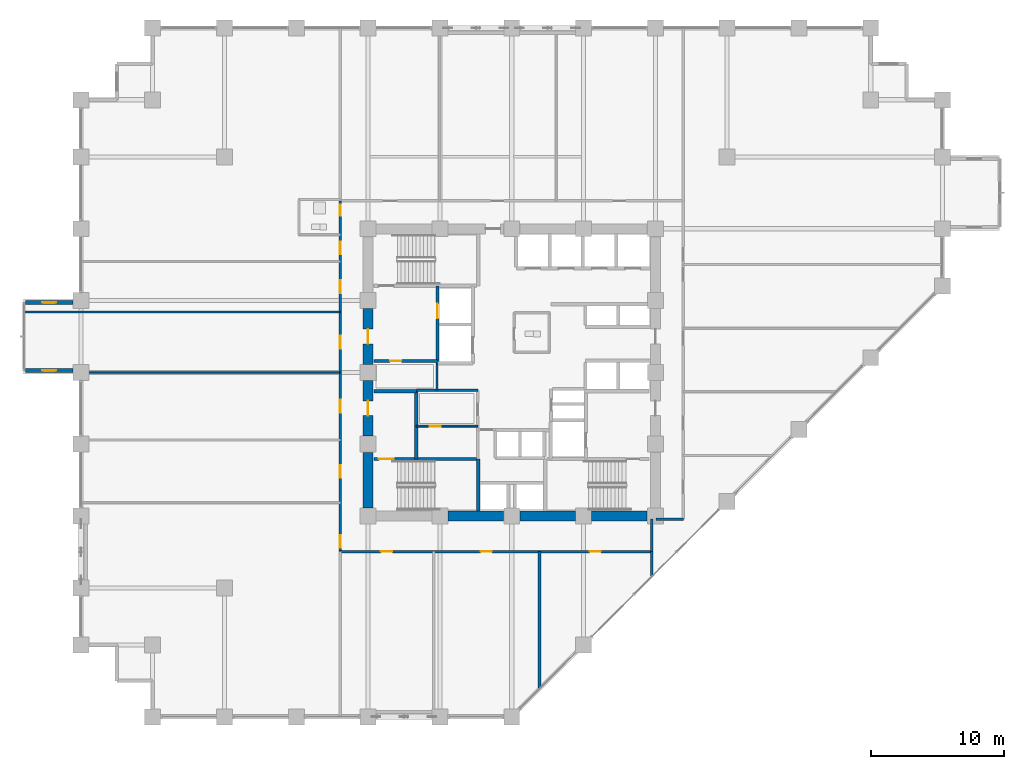
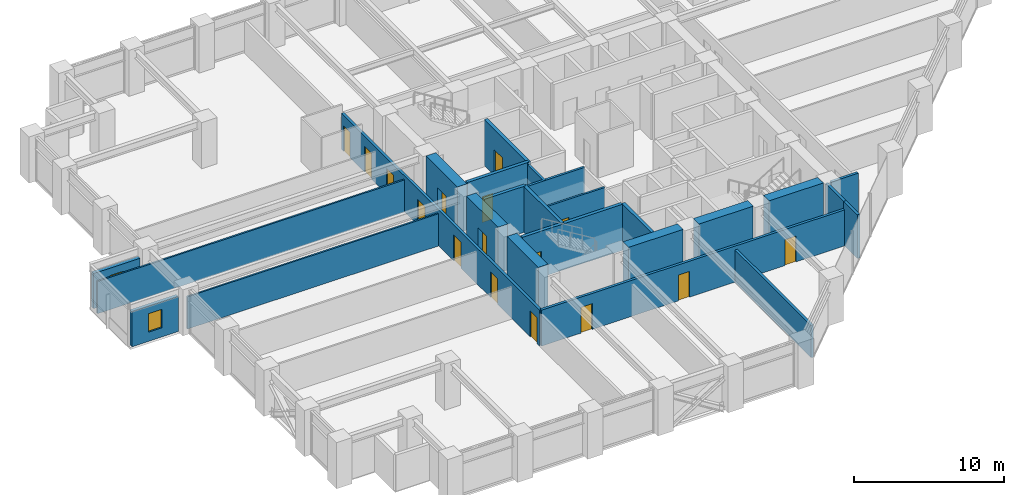
# One storey, part 21 of 28: 25 walls, 16 doors, 2 windows, 18 openings.
"""IFC4 building model written with IfcOpenShell, lengths in metres."""

from ifc_helpers import new_model, si_unit, direction, frame, frame_2d, origin, place, context, subcontext, project, spatial, rectangle, extrude, material, layer, layer_set, type_object, element, fill, save


model = new_model("IFC4")

# Units and contexts
model_context = context("Model", 3, precision=1e-05, world=origin(), true_north=direction((0.0, 1.0)))
body_context = subcontext(model_context, "Body", "Model", "MODEL_VIEW")
ifc_project = project(units=[si_unit("LENGTHUNIT", "METRE"), si_unit("AREAUNIT", "SQUARE_METRE"), si_unit("VOLUMEUNIT", "CUBIC_METRE"), si_unit("PLANEANGLEUNIT", "RADIAN"), si_unit("MASSUNIT", "GRAM", prefix="KILO")], contexts=[model_context])

# Site, building, storey
site_placement = place(None, origin())
site = spatial("IfcSite", under=ifc_project, at=site_placement, CompositionType="ELEMENT")
building_placement = place(site_placement, origin())
building = spatial("IfcBuilding", under=site, at=building_placement, Name="Surkhivell Harbour Commons", CompositionType="ELEMENT")
storey_placement = place(building_placement, frame((0.0, 0.0, 67.5)))
storey = spatial("IfcBuildingStorey", under=building, at=storey_placement, Name="L17", CompositionType="ELEMENT", Elevation=67.5)

# Walls
ifc_material_1 = material(Name="Concrete C60/75", Category="concrete")
ifc_layer_1 = layer(ifc_material_1, 0.75)
ifc_layer_set_1 = layer_set([ifc_layer_1], Name="Concrete C60/75")
wall_type_1 = type_object("IfcWallType", Name="WAL-CORE-750", PredefinedType="SHEAR", material=ifc_layer_set_1)
for number, where, z_axis, x_axis, name in (
    (1, (-10.800048828125, -10.18994140625, 0.0), (0.0, 0.0, 1.0), (0.0, 1.0, 0.0), "L17 Core Shear Wall West 1"),
    (2, (-4.7900390625, -10.800048828125, 0.0), (0.0, 0.0, 1.0), (1.0, 0.0, 0.0), "L17 Core Shear Wall South 2"),
):
    element("IfcWall", number, at=place(storey_placement, frame(where, z_axis=z_axis, x_axis=x_axis)), inside=storey, type_object=wall_type_1, Name=name, PredefinedType="SHEAR", context=body_context, shape_type="SweptSolid", body=[
        extrude(rectangle(XDim=4.179931640625, YDim=0.75, at=frame_2d((2.08984375, 0.0))), origin(), (0.0, 0.0, 1.0), 3.75),
    ])

# Wall, opening, door
wall_1_placement = place(storey_placement, frame((-10.800048828125, -4.7900390625, 0.0), z_axis=(0.0, 0.0, 1.0), x_axis=(0.0, 1.0, 0.0)))
wall_1 = element("IfcWall", 3, at=wall_1_placement, inside=storey, type_object=wall_type_1, Name="L17 Core Shear Wall West 2", PredefinedType="SHEAR", context=body_context, shape_type="SweptSolid", body=[
    extrude(rectangle(XDim=4.179931640625, YDim=0.75, at=frame_2d((2.08984375, 0.0))), origin(), (0.0, 0.0, 1.0), 3.75),
])
opening_1_placement = place(wall_1_placement, frame((1.5400390625, 0.0, 0.0)))
opening_1 = element("IfcOpeningElement", 4, at=opening_1_placement, cuts=wall_1, Name="Opening ID-2", PredefinedType="OPENING", context=body_context, shape_type="SweptSolid", body=[
    extrude(rectangle(XDim=1.10009765625, YDim=2.10009765625, at=frame_2d((0.550048828125, 1.050048828125))), frame((0.0, 0.385009765625, 0.0), z_axis=(0.0, -1.0, 0.0), x_axis=(1.0, 0.0, 0.0)), (0.0, 0.0, 1.0), 0.77001953125),
])
ifc_material_2 = material(Name="Hardwood-veneered fire-rated door leaf", Category="wood")
door_type_1 = type_object("IfcDoorType", Name="DOR-FD60-1100", OperationType="NOTDEFINED", PredefinedType="DOOR", material=ifc_material_2)
door_1_placement = place(opening_1_placement, origin())
door_1 = element("IfcDoor", 5, at=door_1_placement, inside=storey, type_object=door_type_1, Name="L17 Stair 3 Lobby Corridor Door", OperationType="SINGLE_SWING_LEFT", OverallHeight=2.10009765625, OverallWidth=1.10009765625, PredefinedType="DOOR", context=body_context, shape_type="SweptSolid", body=[
    extrude(rectangle(XDim=1.10009765625, YDim=2.10009765625, at=frame_2d((0.550048828125, 1.050048828125))), frame((0.0, 0.02490234375, 0.0), z_axis=(0.0, -1.0, 0.0), x_axis=(1.0, 0.0, 0.0)), (0.0, 0.0, 1.0), 0.050048828125),
])
fill(opening_1, door_1)

# Wall
wall_2_placement = place(storey_placement, frame((0.610107421875, -10.800048828125, 0.0), z_axis=(0.0, 0.0, 1.0), x_axis=(1.0, 0.0, 0.0)))
element("IfcWall", 6, at=wall_2_placement, inside=storey, type_object=wall_type_1, Name="L17 Core Shear Wall South 3", PredefinedType="SHEAR", context=body_context, shape_type="SweptSolid", body=[
    extrude(rectangle(XDim=4.179931640625, YDim=0.75, at=frame_2d((2.08984375, 0.0))), origin(), (0.0, 0.0, 1.0), 3.75),
])

# Wall, opening, door
wall_3_placement = place(storey_placement, frame((-10.800048828125, 0.610107421875, 0.0), z_axis=(0.0, 0.0, 1.0), x_axis=(0.0, 1.0, 0.0)))
wall_3 = element("IfcWall", 7, at=wall_3_placement, inside=storey, type_object=wall_type_1, Name="L17 Core Shear Wall West 3", PredefinedType="SHEAR", context=body_context, shape_type="SweptSolid", body=[
    extrude(rectangle(XDim=4.179931640625, YDim=0.75, at=frame_2d((2.08984375, 0.0))), origin(), (0.0, 0.0, 1.0), 3.75),
])
opening_2_placement = place(wall_3_placement, frame((1.5400390625, 0.0, 0.0)))
opening_2 = element("IfcOpeningElement", 8, at=opening_2_placement, cuts=wall_3, Name="Opening ID-1", PredefinedType="OPENING", context=body_context, shape_type="SweptSolid", body=[
    extrude(rectangle(XDim=1.10009765625, YDim=2.10009765625, at=frame_2d((0.550048828125, 1.050048828125))), frame((0.0, 0.385009765625, 0.0), z_axis=(0.0, -1.0, 0.0), x_axis=(1.0, 0.0, 0.0)), (0.0, 0.0, 1.0), 0.77001953125),
])
door_type_2 = type_object("IfcDoorType", Name="DOR-FD120-1100", OperationType="NOTDEFINED", PredefinedType="DOOR", material=ifc_material_2)
door_2_placement = place(opening_2_placement, origin())
door_2 = element("IfcDoor", 9, at=door_2_placement, inside=storey, type_object=door_type_2, Name="L17 Firefighting Lobby 1 Corridor Door", OperationType="SINGLE_SWING_LEFT", OverallHeight=2.10009765625, OverallWidth=1.10009765625, PredefinedType="DOOR", context=body_context, shape_type="SweptSolid", body=[
    extrude(rectangle(XDim=1.10009765625, YDim=2.10009765625, at=frame_2d((0.550048828125, 1.050048828125))), frame((0.0, 0.02490234375, 0.0), z_axis=(0.0, -1.0, 0.0), x_axis=(1.0, 0.0, 0.0)), (0.0, 0.0, 1.0), 0.050048828125),
])
fill(opening_2, door_2)

# Wall
wall_4_placement = place(storey_placement, frame((6.010009765625, -10.800048828125, 0.0), z_axis=(0.0, 0.0, 1.0), x_axis=(1.0, 0.0, 0.0)))
element("IfcWall", 10, at=wall_4_placement, inside=storey, type_object=wall_type_1, Name="L17 Core Shear Wall South 4", PredefinedType="SHEAR", context=body_context, shape_type="SweptSolid", body=[
    extrude(rectangle(XDim=4.179931640625, YDim=0.75, at=frame_2d((2.08984375, 0.0))), origin(), (0.0, 0.0, 1.0), 3.75),
])

# Wall, opening, window
ifc_material_3 = material(Name="Terracotta-clad reinforced concrete C45/55", Category="masonry")
ifc_layer_2 = layer(ifc_material_3, 0.280029296875)
ifc_layer_set_2 = layer_set([ifc_layer_2], Name="Terracotta-clad reinforced concrete C45/55")
wall_type_2 = type_object("IfcWallType", Name="WAL-EXT-TER280", PredefinedType="STANDARD", material=ifc_layer_set_2)
wall_5_placement = place(storey_placement, frame((-36.56005859375, 0.139892578125, 0.0), z_axis=(0.0, 0.0, 1.0), x_axis=(1.0, 0.0, 0.0)))
wall_5 = element("IfcWall", 11, at=wall_5_placement, inside=storey, type_object=wall_type_2, Name="L17 Coloured Box Return Wall 02S", PredefinedType="STANDARD", context=body_context, shape_type="SweptSolid", body=[
    extrude(rectangle(XDim=3.55615234375, YDim=0.280029296875, at=frame_2d((1.778076171875, 0.0))), origin(), (0.0, 0.0, 1.0), 2.85693359375),
])
opening_3_placement = place(wall_5_placement, frame((1.2529296875, 0.0, 0.75)))
opening_3 = element("IfcOpeningElement", 12, at=opening_3_placement, cuts=wall_5, Name="Opening WN-11", PredefinedType="OPENING", context=body_context, shape_type="SweptSolid", body=[
    extrude(rectangle(XDim=1.050048828125, YDim=1.5, at=frame_2d((0.52490234375, 0.75))), frame((0.0, 0.14990234375, 0.0), z_axis=(0.0, -1.0, 0.0), x_axis=(1.0, 0.0, 0.0)), (0.0, 0.0, 1.0), 0.300048828125),
])
ifc_material_4 = material(Name="Thermal-break aluminium frame and double low-E glazing", Category="aluminium")
window_type = type_object("IfcWindowType", Name="WIN-SER-1050x1500", PartitioningType="SINGLE_PANEL", PredefinedType="WINDOW", material=ifc_material_4)
window_1_placement = place(opening_3_placement, origin())
window_1 = element("IfcWindow", 13, at=window_1_placement, inside=storey, type_object=window_type, Name="L17 Coloured Box Return Window 02S", OverallHeight=1.5, OverallWidth=1.050048828125, PartitioningType="SINGLE_PANEL", PredefinedType="WINDOW", context=body_context, shape_type="SweptSolid", body=[
    extrude(rectangle(XDim=1.050048828125, YDim=1.5, at=frame_2d((0.52490234375, 0.75))), frame((0.0, 0.030029296875, 0.0), z_axis=(0.0, -1.0, 0.0), x_axis=(1.0, 0.0, 0.0)), (0.0, 0.0, 1.0), 0.06005859375),
])
fill(opening_3, window_1)

wall_6_placement = place(storey_placement, frame((-36.56005859375, 5.260009765625, 0.0), z_axis=(0.0, 0.0, 1.0), x_axis=(1.0, 0.0, 0.0)))
wall_6 = element("IfcWall", 14, at=wall_6_placement, inside=storey, type_object=wall_type_2, Name="L17 Coloured Box Return Wall 02N", PredefinedType="STANDARD", context=body_context, shape_type="SweptSolid", body=[
    extrude(rectangle(XDim=3.55615234375, YDim=0.280029296875, at=frame_2d((1.778076171875, 0.0))), origin(), (0.0, 0.0, 1.0), 2.85693359375),
])
opening_4_placement = place(wall_6_placement, frame((1.2529296875, 0.0, 0.75)))
opening_4 = element("IfcOpeningElement", 15, at=opening_4_placement, cuts=wall_6, Name="Opening WN-11", PredefinedType="OPENING", context=body_context, shape_type="SweptSolid", body=[
    extrude(rectangle(XDim=1.050048828125, YDim=1.5, at=frame_2d((0.52490234375, 0.75))), frame((0.0, 0.14990234375, 0.0), z_axis=(0.0, -1.0, 0.0), x_axis=(1.0, 0.0, 0.0)), (0.0, 0.0, 1.0), 0.300048828125),
])
window_2_placement = place(opening_4_placement, origin())
window_2 = element("IfcWindow", 16, at=window_2_placement, inside=storey, type_object=window_type, Name="L17 Coloured Box Return Window 02N", OverallHeight=1.5, OverallWidth=1.050048828125, PartitioningType="SINGLE_PANEL", PredefinedType="WINDOW", context=body_context, shape_type="SweptSolid", body=[
    extrude(rectangle(XDim=1.050048828125, YDim=1.5, at=frame_2d((0.52490234375, 0.75))), frame((0.0, 0.030029296875, 0.0), z_axis=(0.0, -1.0, 0.0), x_axis=(1.0, 0.0, 0.0)), (0.0, 0.0, 1.0), 0.06005859375),
])
fill(opening_4, window_2)

# Walls
ifc_material_5 = material(Name="Moisture-resistant acoustic stud partition", Category="other")
ifc_layer_3 = layer(ifc_material_5, 0.125)
ifc_layer_set_3 = layer_set([ifc_layer_3], Name="Moisture-resistant acoustic stud partition")
wall_type_3 = type_object("IfcWallType", Name="WAL-INT-125", PredefinedType="PARTITIONING", material=ifc_layer_set_3)
wall_7_placement = place(storey_placement, frame((-32.340087890625, 0.0, 0.0), z_axis=(0.0, 0.0, 1.0), x_axis=(1.0, 0.0, 0.0)))
element("IfcWall", 17, at=wall_7_placement, inside=storey, type_object=wall_type_3, Name="L17 West Partition BDP2", PredefinedType="PARTITIONING", context=body_context, shape_type="SweptSolid", body=[
    extrude(rectangle(XDim=19.440185546875, YDim=0.125, at=frame_2d((9.72021484375, 0.0))), origin(), (0.0, 0.0, 1.0), 2.623046875),
])
wall_8_placement = place(storey_placement, frame((-36.639892578125, 4.5400390625, 0.0), z_axis=(0.0, 0.0, 1.0), x_axis=(1.0, 0.0, 0.0)))
element("IfcWall", 18, at=wall_8_placement, inside=storey, type_object=wall_type_3, Name="L17 West Partition BDP3", PredefinedType="PARTITIONING", context=body_context, shape_type="SweptSolid", body=[
    extrude(rectangle(XDim=23.739990234375, YDim=0.125, at=frame_2d((11.8701171875, 0.0))), origin(), (0.0, 0.0, 1.0), 2.623046875),
])

# Wall, opening, door
ifc_material_6 = material(Name="Twin-stud acoustic fireboard partition", Category="other")
ifc_layer_4 = layer(ifc_material_6, 0.14990234375)
ifc_layer_set_4 = layer_set([ifc_layer_4], Name="Twin-stud acoustic fireboard partition")
wall_type_4 = type_object("IfcWallType", Name="WAL-INT-150", PredefinedType="PARTITIONING", material=ifc_layer_set_4)
wall_9_placement = place(storey_placement, frame((-7.179931640625, -4.050048828125, 0.0), z_axis=(0.0, 0.0, 1.0), x_axis=(1.0, 0.0, 0.0)))
wall_9 = element("IfcWall", 19, at=wall_9_placement, inside=storey, type_object=wall_type_4, Name="L17 Core Cut A Partition", PredefinedType="PARTITIONING", context=body_context, shape_type="SweptSolid", body=[
    extrude(rectangle(XDim=4.6298828125, YDim=0.14990234375, at=frame_2d((2.31494140625, 0.0))), origin(), (0.0, 0.0, 1.0), 3.570068359375),
])
opening_5_placement = place(wall_9_placement, frame((1.0, 0.0, 0.0)))
opening_5 = element("IfcOpeningElement", 20, at=opening_5_placement, cuts=wall_9, Name="Opening ID-6", PredefinedType="OPENING", context=body_context, shape_type="SweptSolid", body=[
    extrude(rectangle(XDim=0.85009765625, YDim=2.10009765625, at=frame_2d((0.425048828125, 1.050048828125))), frame((0.0, 0.0849609375, 0.0), z_axis=(0.0, -1.0, 0.0), x_axis=(1.0, 0.0, 0.0)), (0.0, 0.0, 1.0), 0.169921875),
])
door_type_3 = type_object("IfcDoorType", Name="DOR-FD30-850", OperationType="NOTDEFINED", PredefinedType="DOOR", material=ifc_material_2)
door_3_placement = place(opening_5_placement, origin())
door_3 = element("IfcDoor", 21, at=door_3_placement, inside=storey, type_object=door_type_3, Name="L17 Linen Room Door", OperationType="SINGLE_SWING_RIGHT", OverallHeight=2.10009765625, OverallWidth=0.85009765625, PredefinedType="DOOR", context=body_context, shape_type="SweptSolid", body=[
    extrude(rectangle(XDim=0.85009765625, YDim=2.10009765625, at=frame_2d((0.425048828125, 1.050048828125))), frame((0.0, 0.02490234375, 0.0), z_axis=(0.0, -1.0, 0.0), x_axis=(1.0, 0.0, 0.0)), (0.0, 0.0, 1.0), 0.050048828125),
])
fill(opening_5, door_3)

# Walls
ifc_material_7 = material(Name="High-density acoustic blockwork fire partition", Category="masonry")
ifc_layer_5 = layer(ifc_material_7, 0.175048828125)
ifc_layer_set_5 = layer_set([ifc_layer_5], Name="High-density acoustic blockwork fire partition")
wall_type_5 = type_object("IfcWallType", Name="WAL-INT-175", PredefinedType="PARTITIONING", material=ifc_layer_set_5)
wall_10_placement = place(storey_placement, frame((-7.179931640625, -1.35009765625, 0.0), z_axis=(0.0, 0.0, 1.0), x_axis=(1.0, 0.0, 0.0)))
element("IfcWall", 22, at=wall_10_placement, inside=storey, type_object=wall_type_5, Name="L17 Core Service Bay North Wall", PredefinedType="PARTITIONING", context=body_context, shape_type="SweptSolid", body=[
    extrude(rectangle(XDim=4.6298828125, YDim=0.175048828125, at=frame_2d((2.31494140625, 0.0))), origin(), (0.0, 0.0, 1.0), 3.570068359375),
])
wall_11_placement = place(storey_placement, frame((-5.6201171875, -1.419921875, 0.0), z_axis=(0.0, 0.0, 1.0), x_axis=(0.0, 1.0, 0.0)))
element("IfcWall", 23, at=wall_11_placement, inside=storey, type_object=wall_type_5, Name="L17 West Core Bay East Wall", PredefinedType="PARTITIONING", context=body_context, shape_type="SweptSolid", body=[
    extrude(rectangle(XDim=2.139892578125, YDim=0.175048828125, at=frame_2d((1.06982421875, 0.0))), origin(), (0.0, 0.0, 1.0), 3.570068359375),
])
ifc_material_8 = material(Name="Autoclaved aerated concrete blockwork and fire plaster", Category="masonry")
ifc_layer_6 = layer(ifc_material_8, 0.199951171875)
ifc_layer_set_6 = layer_set([ifc_layer_6], Name="Autoclaved aerated concrete blockwork and fire plaster")
wall_type_6 = type_object("IfcWallType", Name="WAL-INT-200", PredefinedType="PARTITIONING", material=ifc_layer_set_6)
wall_12_placement = place(storey_placement, frame((10.52001953125, -15.295166015625, 0.0), z_axis=(0.0, 0.0, 1.0), x_axis=(0.0, 1.0, 0.0)))
element("IfcWall", 24, at=wall_12_placement, inside=storey, type_object=wall_type_6, Name="L17 South-East Wing Corner Divider", PredefinedType="PARTITIONING", context=body_context, shape_type="SweptSolid", body=[
    extrude(rectangle(XDim=1.815185546875, YDim=0.199951171875, at=frame_2d((0.90771484375, 0.0))), origin(), (0.0, 0.0, 1.0), 3.570068359375),
])
wall_13_placement = place(storey_placement, frame((10.85009765625, -11.0400390625, 0.0), z_axis=(0.0, 0.0, 1.0), x_axis=(1.0, 0.0, 0.0)))
element("IfcWall", 25, at=wall_13_placement, inside=storey, type_object=wall_type_6, Name="L17 Corridor East South Closure Wall", PredefinedType="PARTITIONING", context=body_context, shape_type="SweptSolid", body=[
    extrude(rectangle(XDim=2.0498046875, YDim=0.199951171875, at=frame_2d((1.02490234375, 0.0))), origin(), (0.0, 0.0, 1.0), 3.570068359375),
])

# Wall, openings, doors
wall_14_placement = place(storey_placement, frame((-12.89990234375, -13.47998046875, 0.0), z_axis=(0.0, 0.0, 1.0), x_axis=(1.0, 0.0, 0.0)))
wall_14 = element("IfcWall", 26, at=wall_14_placement, inside=storey, type_object=wall_type_6, Name="L17 Corridor South Wall", PredefinedType="PARTITIONING", context=body_context, shape_type="SweptSolid", body=[
    extrude(rectangle(XDim=23.419921875, YDim=0.199951171875, at=frame_2d((11.7099609375, 0.0))), origin(), (0.0, 0.0, 1.0), 2.929931640625),
])
opening_6_placement = place(wall_14_placement, frame((3.06494140625, 0.0, 0.0)))
opening_6 = element("IfcOpeningElement", 27, at=opening_6_placement, cuts=wall_14, Name="Opening ID-6", PredefinedType="OPENING", context=body_context, shape_type="SweptSolid", body=[
    extrude(rectangle(XDim=0.85009765625, YDim=2.10009765625, at=frame_2d((0.425048828125, 1.050048828125))), frame((0.0, 0.10986328125, 0.0), z_axis=(0.0, -1.0, 0.0), x_axis=(1.0, 0.0, 0.0)), (0.0, 0.0, 1.0), 0.219970703125),
])
opening_7_placement = place(wall_14_placement, frame((10.56005859375, 0.0, 0.0)))
opening_7 = element("IfcOpeningElement", 28, at=opening_7_placement, cuts=wall_14, Name="Opening ID-6", PredefinedType="OPENING", context=body_context, shape_type="SweptSolid", body=[
    extrude(rectangle(XDim=0.85009765625, YDim=2.10009765625, at=frame_2d((0.425048828125, 1.050048828125))), frame((0.0, 0.10986328125, 0.0), z_axis=(0.0, -1.0, 0.0), x_axis=(1.0, 0.0, 0.0)), (0.0, 0.0, 1.0), 0.219970703125),
])
opening_8_placement = place(wall_14_placement, frame((18.7548828125, 0.0, 0.0)))
opening_8 = element("IfcOpeningElement", 29, at=opening_8_placement, cuts=wall_14, Name="Opening ID-6", PredefinedType="OPENING", context=body_context, shape_type="SweptSolid", body=[
    extrude(rectangle(XDim=0.85009765625, YDim=2.10009765625, at=frame_2d((0.425048828125, 1.050048828125))), frame((0.0, 0.10986328125, 0.0), z_axis=(0.0, -1.0, 0.0), x_axis=(1.0, 0.0, 0.0)), (0.0, 0.0, 1.0), 0.219970703125),
])
door_4_placement = place(opening_6_placement, origin())
door_4 = element("IfcDoor", 30, at=door_4_placement, inside=storey, type_object=door_type_3, Name="L17 Resident Tutor Staff Room 1 South Door", OperationType="SINGLE_SWING_LEFT", OverallHeight=2.10009765625, OverallWidth=0.85009765625, PredefinedType="DOOR", context=body_context, shape_type="SweptSolid", body=[
    extrude(rectangle(XDim=0.85009765625, YDim=2.10009765625, at=frame_2d((0.425048828125, 1.050048828125))), frame((0.0, 0.02490234375, 0.0), z_axis=(0.0, -1.0, 0.0), x_axis=(1.0, 0.0, 0.0)), (0.0, 0.0, 1.0), 0.050048828125),
])
fill(opening_6, door_4)
door_5_placement = place(opening_7_placement, origin())
door_5 = element("IfcDoor", 31, at=door_5_placement, inside=storey, type_object=door_type_3, Name="L17 Resident Warden Staff Office 2 South Door", OperationType="SINGLE_SWING_RIGHT", OverallHeight=2.10009765625, OverallWidth=0.85009765625, PredefinedType="DOOR", context=body_context, shape_type="SweptSolid", body=[
    extrude(rectangle(XDim=0.85009765625, YDim=2.10009765625, at=frame_2d((0.425048828125, 1.050048828125))), frame((0.0, 0.02490234375, 0.0), z_axis=(0.0, -1.0, 0.0), x_axis=(1.0, 0.0, 0.0)), (0.0, 0.0, 1.0), 0.050048828125),
])
fill(opening_7, door_5)
door_6_placement = place(opening_8_placement, origin())
door_6 = element("IfcDoor", 32, at=door_6_placement, inside=storey, type_object=door_type_3, Name="L17 Campus Bursar Staff Office 3 South Door", OperationType="SINGLE_SWING_LEFT", OverallHeight=2.10009765625, OverallWidth=0.85009765625, PredefinedType="DOOR", context=body_context, shape_type="SweptSolid", body=[
    extrude(rectangle(XDim=0.85009765625, YDim=2.10009765625, at=frame_2d((0.425048828125, 1.050048828125))), frame((0.0, 0.02490234375, 0.0), z_axis=(0.0, -1.0, 0.0), x_axis=(1.0, 0.0, 0.0)), (0.0, 0.0, 1.0), 0.050048828125),
])
fill(opening_8, door_6)

# Wall
wall_15_placement = place(storey_placement, frame((10.52001953125, -13.47998046875, 0.0), z_axis=(0.0, 0.0, 1.0), x_axis=(0.0, 1.0, 0.0)))
element("IfcWall", 33, at=wall_15_placement, inside=storey, type_object=wall_type_6, Name="L17 Corridor SE Closure Wall", PredefinedType="PARTITIONING", context=body_context, shape_type="SweptSolid", body=[
    extrude(rectangle(XDim=2.43994140625, YDim=0.199951171875, at=frame_2d((1.219970703125, 0.0))), origin(), (0.0, 0.0, 1.0), 3.570068359375),
])

# Wall, openings, doors
wall_16_placement = place(storey_placement, frame((-12.89990234375, -13.47998046875, 0.0), z_axis=(0.0, 0.0, 1.0), x_axis=(0.0, 1.0, 0.0)))
wall_16 = element("IfcWall", 34, at=wall_16_placement, inside=storey, type_object=wall_type_6, Name="L17 Corridor West Wall", PredefinedType="PARTITIONING", context=body_context, shape_type="SweptSolid", body=[
    extrude(rectangle(XDim=26.3798828125, YDim=0.199951171875, at=frame_2d((13.18994140625, 0.0))), origin(), (0.0, 0.0, 1.0), 2.929931640625),
])
opening_9_placement = place(wall_16_placement, frame((0.280029296875, 0.0, 0.0)))
opening_9 = element("IfcOpeningElement", 35, at=opening_9_placement, cuts=wall_16, Name="Opening ID-4", PredefinedType="OPENING", context=body_context, shape_type="SweptSolid", body=[
    extrude(rectangle(XDim=0.949951171875, YDim=2.10009765625, at=frame_2d((0.47509765625, 1.050048828125))), frame((0.0, 0.10986328125, 0.0), z_axis=(0.0, -1.0, 0.0), x_axis=(1.0, 0.0, 0.0)), (0.0, 0.0, 1.0), 0.219970703125),
])
opening_10_placement = place(wall_16_placement, frame((25.25, 0.0, 0.0)))
opening_10 = element("IfcOpeningElement", 36, at=opening_10_placement, cuts=wall_16, Name="Opening ID-6", PredefinedType="OPENING", context=body_context, shape_type="SweptSolid", body=[
    extrude(rectangle(XDim=0.85009765625, YDim=2.10009765625, at=frame_2d((0.425048828125, 1.050048828125))), frame((0.0, 0.10986328125, 0.0), z_axis=(0.0, -1.0, 0.0), x_axis=(1.0, 0.0, 0.0)), (0.0, 0.0, 1.0), 0.219970703125),
])
opening_11_placement = place(wall_16_placement, frame((22.35009765625, 0.0, 0.0)))
opening_11 = element("IfcOpeningElement", 37, at=opening_11_placement, cuts=wall_16, Name="Opening ID-4", PredefinedType="OPENING", context=body_context, shape_type="SweptSolid", body=[
    extrude(rectangle(XDim=0.949951171875, YDim=2.10009765625, at=frame_2d((0.47509765625, 1.050048828125))), frame((0.0, 0.10986328125, 0.0), z_axis=(0.0, -1.0, 0.0), x_axis=(1.0, 0.0, 0.0)), (0.0, 0.0, 1.0), 0.219970703125),
])
opening_12_placement = place(wall_16_placement, frame((5.56005859375, 0.0, 0.0)))
opening_12 = element("IfcOpeningElement", 38, at=opening_12_placement, cuts=wall_16, Name="Opening ID-4", PredefinedType="OPENING", context=body_context, shape_type="SweptSolid", body=[
    extrude(rectangle(XDim=0.949951171875, YDim=2.10009765625, at=frame_2d((0.47509765625, 1.050048828125))), frame((0.0, 0.10986328125, 0.0), z_axis=(0.0, -1.0, 0.0), x_axis=(1.0, 0.0, 0.0)), (0.0, 0.0, 1.0), 0.219970703125),
])
opening_13_placement = place(wall_16_placement, frame((10.4599609375, 0.0, 0.0)))
opening_13 = element("IfcOpeningElement", 39, at=opening_13_placement, cuts=wall_16, Name="Opening ID-4", PredefinedType="OPENING", context=body_context, shape_type="SweptSolid", body=[
    extrude(rectangle(XDim=0.949951171875, YDim=2.10009765625, at=frame_2d((0.47509765625, 1.050048828125))), frame((0.0, 0.10986328125, 0.0), z_axis=(0.0, -1.0, 0.0), x_axis=(1.0, 0.0, 0.0)), (0.0, 0.0, 1.0), 0.219970703125),
])
opening_14_placement = place(wall_16_placement, frame((15.27001953125, 0.0, 0.0)))
opening_14 = element("IfcOpeningElement", 40, at=opening_14_placement, cuts=wall_16, Name="Opening ID-4", PredefinedType="OPENING", context=body_context, shape_type="SweptSolid", body=[
    extrude(rectangle(XDim=0.949951171875, YDim=2.10009765625, at=frame_2d((0.47509765625, 1.050048828125))), frame((0.0, 0.10986328125, 0.0), z_axis=(0.0, -1.0, 0.0), x_axis=(1.0, 0.0, 0.0)), (0.0, 0.0, 1.0), 0.219970703125),
])
opening_15_placement = place(wall_16_placement, frame((19.445068359375, 0.0, 0.0)))
opening_15 = element("IfcOpeningElement", 41, at=opening_15_placement, cuts=wall_16, Name="Opening ID-4", PredefinedType="OPENING", context=body_context, shape_type="SweptSolid", body=[
    extrude(rectangle(XDim=0.949951171875, YDim=2.10009765625, at=frame_2d((0.47509765625, 1.050048828125))), frame((0.0, 0.10986328125, 0.0), z_axis=(0.0, -1.0, 0.0), x_axis=(1.0, 0.0, 0.0)), (0.0, 0.0, 1.0), 0.219970703125),
])
door_7_placement = place(opening_10_placement, origin())
door_7 = element("IfcDoor", 42, at=door_7_placement, inside=storey, type_object=door_type_3, Name="L17 Communal Shower Bathroom West Door", OperationType="SINGLE_SWING_LEFT", OverallHeight=2.10009765625, OverallWidth=0.85009765625, PredefinedType="DOOR", context=body_context, shape_type="SweptSolid", body=[
    extrude(rectangle(XDim=0.85009765625, YDim=2.10009765625, at=frame_2d((0.425048828125, 1.050048828125))), frame((0.0, 0.02490234375, 0.0), z_axis=(0.0, -1.0, 0.0), x_axis=(1.0, 0.0, 0.0)), (0.0, 0.0, 1.0), 0.050048828125),
])
fill(opening_10, door_7)
door_type_4 = type_object("IfcDoorType", Name="DOR-FD60-950", OperationType="NOTDEFINED", PredefinedType="DOOR", material=ifc_material_2)
door_8_placement = place(opening_9_placement, origin())
door_8 = element("IfcDoor", 43, at=door_8_placement, inside=storey, type_object=door_type_4, Name="L17 Shared Communal Kitchen West Door", OperationType="SINGLE_SWING_RIGHT", OverallHeight=2.10009765625, OverallWidth=0.949951171875, PredefinedType="DOOR", context=body_context, shape_type="SweptSolid", body=[
    extrude(rectangle(XDim=0.949951171875, YDim=2.10009765625, at=frame_2d((0.47509765625, 1.050048828125))), frame((0.0, 0.02490234375, 0.0), z_axis=(0.0, -1.0, 0.0), x_axis=(1.0, 0.0, 0.0)), (0.0, 0.0, 1.0), 0.050048828125),
])
fill(opening_9, door_8)
door_9_placement = place(opening_11_placement, origin())
door_9 = element("IfcDoor", 44, at=door_9_placement, inside=storey, type_object=door_type_4, Name="L17 Academic Reading Commons West Door", OperationType="SINGLE_SWING_RIGHT", OverallHeight=2.10009765625, OverallWidth=0.949951171875, PredefinedType="DOOR", context=body_context, shape_type="SweptSolid", body=[
    extrude(rectangle(XDim=0.949951171875, YDim=2.10009765625, at=frame_2d((0.47509765625, 1.050048828125))), frame((0.0, 0.02490234375, 0.0), z_axis=(0.0, -1.0, 0.0), x_axis=(1.0, 0.0, 0.0)), (0.0, 0.0, 1.0), 0.050048828125),
])
fill(opening_11, door_9)
door_10_placement = place(opening_12_placement, origin())
door_10 = element("IfcDoor", 45, at=door_10_placement, inside=storey, type_object=door_type_4, Name="L17 Hostel Cluster Bedroom 1 West Door", OperationType="SINGLE_SWING_LEFT", OverallHeight=2.10009765625, OverallWidth=0.949951171875, PredefinedType="DOOR", context=body_context, shape_type="SweptSolid", body=[
    extrude(rectangle(XDim=0.949951171875, YDim=2.10009765625, at=frame_2d((0.47509765625, 1.050048828125))), frame((0.0, 0.02490234375, 0.0), z_axis=(0.0, -1.0, 0.0), x_axis=(1.0, 0.0, 0.0)), (0.0, 0.0, 1.0), 0.050048828125),
])
fill(opening_12, door_10)
door_11_placement = place(opening_13_placement, origin())
door_11 = element("IfcDoor", 46, at=door_11_placement, inside=storey, type_object=door_type_4, Name="L17 Co-Living Dormitory Bedroom 2 West Door", OperationType="SINGLE_SWING_RIGHT", OverallHeight=2.10009765625, OverallWidth=0.949951171875, PredefinedType="DOOR", context=body_context, shape_type="SweptSolid", body=[
    extrude(rectangle(XDim=0.949951171875, YDim=2.10009765625, at=frame_2d((0.47509765625, 1.050048828125))), frame((0.0, 0.02490234375, 0.0), z_axis=(0.0, -1.0, 0.0), x_axis=(1.0, 0.0, 0.0)), (0.0, 0.0, 1.0), 0.050048828125),
])
fill(opening_13, door_11)
door_12_placement = place(opening_14_placement, origin())
door_12 = element("IfcDoor", 47, at=door_12_placement, inside=storey, type_object=door_type_4, Name="L17 Hostel Cluster Bedroom 3 West Door", OperationType="SINGLE_SWING_LEFT", OverallHeight=2.10009765625, OverallWidth=0.949951171875, PredefinedType="DOOR", context=body_context, shape_type="SweptSolid", body=[
    extrude(rectangle(XDim=0.949951171875, YDim=2.10009765625, at=frame_2d((0.47509765625, 1.050048828125))), frame((0.0, 0.02490234375, 0.0), z_axis=(0.0, -1.0, 0.0), x_axis=(1.0, 0.0, 0.0)), (0.0, 0.0, 1.0), 0.050048828125),
])
fill(opening_14, door_12)
door_13_placement = place(opening_15_placement, origin())
door_13 = element("IfcDoor", 48, at=door_13_placement, inside=storey, type_object=door_type_4, Name="L17 Co-Living Dormitory Bedroom 4 West Door", OperationType="SINGLE_SWING_RIGHT", OverallHeight=2.10009765625, OverallWidth=0.949951171875, PredefinedType="DOOR", context=body_context, shape_type="SweptSolid", body=[
    extrude(rectangle(XDim=0.949951171875, YDim=2.10009765625, at=frame_2d((0.47509765625, 1.050048828125))), frame((0.0, 0.02490234375, 0.0), z_axis=(0.0, -1.0, 0.0), x_axis=(1.0, 0.0, 0.0)), (0.0, 0.0, 1.0), 0.050048828125),
])
fill(opening_15, door_13)

# Wall
wall_17_placement = place(storey_placement, frame((2.090087890625, -23.72509765625, 0.0), z_axis=(0.0, 0.0, 1.0), x_axis=(0.0, 1.0, 0.0)))
element("IfcWall", 49, at=wall_17_placement, inside=storey, type_object=wall_type_6, Name="L17 South Partition P2", PredefinedType="PARTITIONING", context=body_context, shape_type="SweptSolid", body=[
    extrude(rectangle(XDim=10.2451171875, YDim=0.199951171875, at=frame_2d((5.12255859375, 0.0))), origin(), (0.0, 0.0, 1.0), 2.623046875),
])

# Wall, opening, door
ifc_material_9 = material(Name="Concrete C50/60", Category="concrete")
ifc_layer_7 = layer(ifc_material_9, 0.25)
ifc_layer_set_7 = layer_set([ifc_layer_7], Name="Concrete C50/60")
wall_type_7 = type_object("IfcWallType", Name="WAL-SHAFT-250", PredefinedType="SHEAR", material=ifc_layer_set_7)
wall_18_placement = place(storey_placement, frame((-5.580078125, 0.719970703125, 0.0), z_axis=(0.0, 0.0, 1.0), x_axis=(0.0, 1.0, 0.0)))
wall_18 = element("IfcWall", 50, at=wall_18_placement, inside=storey, type_object=wall_type_7, Name="L17 Firefighting Lobby 1 East Shaft Wall", PredefinedType="SHEAR", context=body_context, shape_type="SweptSolid", body=[
    extrude(rectangle(XDim=5.7900390625, YDim=0.25, at=frame_2d((2.89501953125, 0.0))), origin(), (0.0, 0.0, 1.0), 3.75),
])
opening_16_placement = place(wall_18_placement, frame((3.35009765625, 0.0, 0.0)))
opening_16 = element("IfcOpeningElement", 51, at=opening_16_placement, cuts=wall_18, Name="Opening LD-1", PredefinedType="OPENING", context=body_context, shape_type="SweptSolid", body=[
    extrude(rectangle(XDim=1.10009765625, YDim=2.10009765625, at=frame_2d((0.550048828125, 1.050048828125))), frame((0.0, 0.135009765625, 0.0), z_axis=(0.0, -1.0, 0.0), x_axis=(1.0, 0.0, 0.0)), (0.0, 0.0, 1.0), 0.27001953125),
])
ifc_material_10 = material(Name="Brushed stainless steel S355", Category="steel")
door_type_5 = type_object("IfcDoorType", Name="DOR-LD-1100", OperationType="SLIDING_TO_LEFT", PredefinedType="DOOR", material=ifc_material_10)
door_14_placement = place(opening_16_placement, origin())
door_14 = element("IfcDoor", 52, at=door_14_placement, inside=storey, type_object=door_type_5, Name="L17 Lift Landing Door LD-FFL1", OperationType="SLIDING_TO_LEFT", OverallHeight=2.10009765625, OverallWidth=1.10009765625, PredefinedType="DOOR", context=body_context, shape_type="SweptSolid", body=[
    extrude(rectangle(XDim=1.10009765625, YDim=2.10009765625, at=frame_2d((0.550048828125, 1.050048828125))), frame((0.0, 0.02490234375, 0.0), z_axis=(0.0, -1.0, 0.0), x_axis=(1.0, 0.0, 0.0)), (0.0, 0.0, 1.0), 0.050048828125),
])
fill(opening_16, door_14)

wall_19_placement = place(storey_placement, frame((-10.340087890625, 0.85009765625, 0.0), z_axis=(0.0, 0.0, 1.0), x_axis=(1.0, 0.0, 0.0)))
wall_19 = element("IfcWall", 53, at=wall_19_placement, inside=storey, type_object=wall_type_7, Name="L17 Firefighting Lobby 1 South Wall", PredefinedType="SHEAR", context=body_context, shape_type="SweptSolid", body=[
    extrude(rectangle(XDim=4.760009765625, YDim=0.25, at=frame_2d((2.3798828125, 0.0))), origin(), (0.0, 0.0, 1.0), 3.75),
])
opening_17_placement = place(wall_19_placement, frame((1.199951171875, 0.0, 0.0)))
opening_17 = element("IfcOpeningElement", 54, at=opening_17_placement, cuts=wall_19, Name="Opening ID-6", PredefinedType="OPENING", context=body_context, shape_type="SweptSolid", body=[
    extrude(rectangle(XDim=0.85009765625, YDim=2.10009765625, at=frame_2d((0.425048828125, 1.050048828125))), frame((0.0, 0.135009765625, 0.0), z_axis=(0.0, -1.0, 0.0), x_axis=(1.0, 0.0, 0.0)), (0.0, 0.0, 1.0), 0.27001953125),
])
door_15_placement = place(opening_17_placement, origin())
door_15 = element("IfcDoor", 55, at=door_15_placement, inside=storey, type_object=door_type_3, Name="L17 West Quiet Study Door", OperationType="SINGLE_SWING_RIGHT", OverallHeight=2.10009765625, OverallWidth=0.85009765625, PredefinedType="DOOR", context=body_context, shape_type="SweptSolid", body=[
    extrude(rectangle(XDim=0.85009765625, YDim=2.10009765625, at=frame_2d((0.425048828125, 1.050048828125))), frame((0.0, 0.02490234375, 0.0), z_axis=(0.0, -1.0, 0.0), x_axis=(1.0, 0.0, 0.0)), (0.0, 0.0, 1.0), 0.050048828125),
])
fill(opening_17, door_15)

# Walls
wall_20_placement = place(storey_placement, frame((-2.510009765625, -10.425048828125, 0.0), z_axis=(0.0, 0.0, 1.0), x_axis=(0.0, 1.0, 0.0)))
element("IfcWall", 56, at=wall_20_placement, inside=storey, type_object=wall_type_7, Name="L17 Stair ST3 East Shear Wall", PredefinedType="SHEAR", context=body_context, shape_type="SweptSolid", body=[
    extrude(rectangle(XDim=3.9150390625, YDim=0.25, at=frame_2d((1.95751953125, 0.0))), origin(), (0.0, 0.0, 1.0), 3.75),
])
wall_21_placement = place(storey_placement, frame((-7.179931640625, -6.510009765625, 0.0), z_axis=(0.0, 0.0, 1.0), x_axis=(0.0, 1.0, 0.0)))
element("IfcWall", 57, at=wall_21_placement, inside=storey, type_object=wall_type_7, Name="L17 Stair 3 Lobby East Wall", PredefinedType="SHEAR", context=body_context, shape_type="SweptSolid", body=[
    extrude(rectangle(XDim=5.090087890625, YDim=0.25, at=frame_2d((2.544921875, 0.0))), origin(), (0.0, 0.0, 1.0), 3.75),
])
wall_22_placement = place(storey_placement, frame((-10.340087890625, -1.419921875, 0.0), z_axis=(0.0, 0.0, 1.0), x_axis=(1.0, 0.0, 0.0)))
element("IfcWall", 58, at=wall_22_placement, inside=storey, type_object=wall_type_7, Name="L17 Stair 3 Lobby North Wall", PredefinedType="SHEAR", context=body_context, shape_type="SweptSolid", body=[
    extrude(rectangle(XDim=3.16015625, YDim=0.25, at=frame_2d((1.580078125, 0.0))), origin(), (0.0, 0.0, 1.0), 3.75),
])

# Wall, opening, door
wall_23_placement = place(storey_placement, frame((-10.340087890625, -6.510009765625, 0.0), z_axis=(0.0, 0.0, 1.0), x_axis=(1.0, 0.0, 0.0)))
wall_23 = element("IfcWall", 59, at=wall_23_placement, inside=storey, type_object=wall_type_7, Name="L17 Stair ST3 North Shear Wall", PredefinedType="SHEAR", context=body_context, shape_type="SweptSolid", body=[
    extrude(rectangle(XDim=7.7001953125, YDim=0.25, at=frame_2d((3.85009765625, 0.0))), origin(), (0.0, 0.0, 1.0), 3.75),
])
opening_18_placement = place(wall_23_placement, frame((0.35009765625, 0.0, 0.0)))
opening_18 = element("IfcOpeningElement", 60, at=opening_18_placement, cuts=wall_23, Name="Opening ID-2", PredefinedType="OPENING", context=body_context, shape_type="SweptSolid", body=[
    extrude(rectangle(XDim=1.10009765625, YDim=2.10009765625, at=frame_2d((0.550048828125, 1.050048828125))), frame((0.0, 0.135009765625, 0.0), z_axis=(0.0, -1.0, 0.0), x_axis=(1.0, 0.0, 0.0)), (0.0, 0.0, 1.0), 0.27001953125),
])
door_16_placement = place(opening_18_placement, origin())
door_16 = element("IfcDoor", 61, at=door_16_placement, inside=storey, type_object=door_type_1, Name="L17 Stair ST3 Exit Door", OperationType="SINGLE_SWING_RIGHT", OverallHeight=2.10009765625, OverallWidth=1.10009765625, PredefinedType="DOOR", context=body_context, shape_type="SweptSolid", body=[
    extrude(rectangle(XDim=1.10009765625, YDim=2.10009765625, at=frame_2d((0.550048828125, 1.050048828125))), frame((0.0, 0.02490234375, 0.0), z_axis=(0.0, -1.0, 0.0), x_axis=(1.0, 0.0, 0.0)), (0.0, 0.0, 1.0), 0.050048828125),
])
fill(opening_18, door_16)

save(model, "model.ifc")
